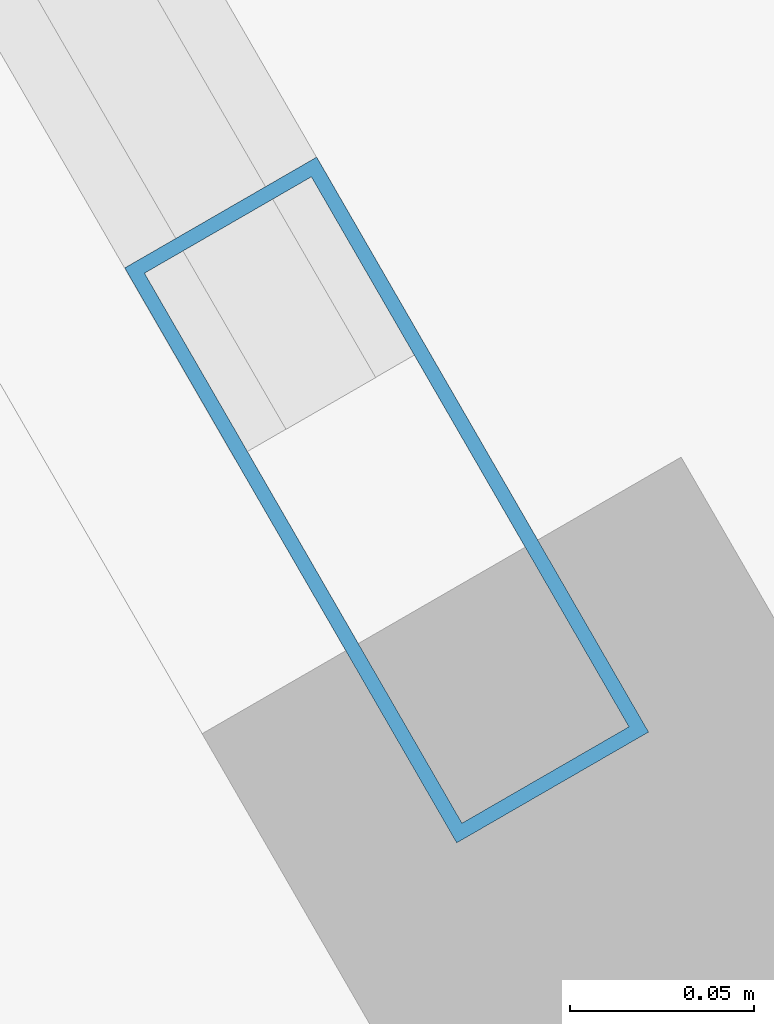
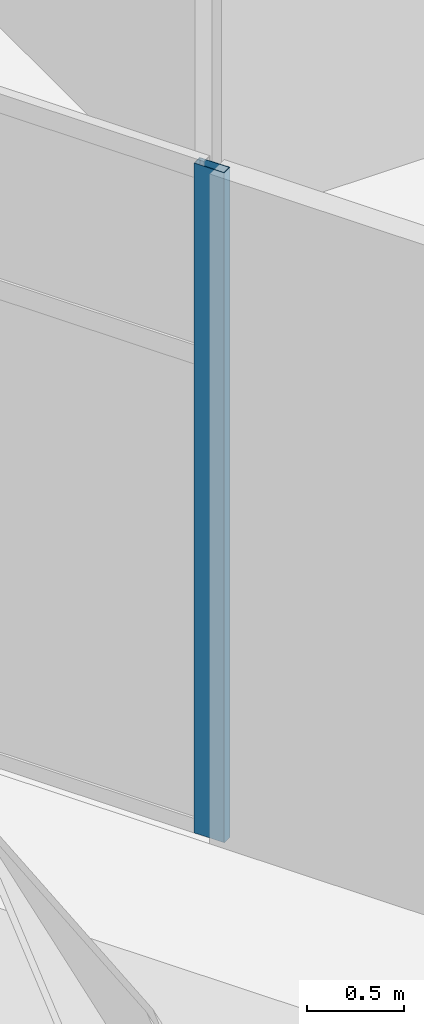
# One storey, part 28 of 71: 1 member, 1 element without a shape of its own.
"""IFC4 building model written with IfcOpenShell, lengths in metres."""

from ifc_helpers import new_model, si_unit, direction, frame, origin, origin_2d, place, context, subcontext, project, spatial, hollow_rectangle, extrude, material, material_profile, profile_set, type_object, element, aggregate, save


model = new_model("IFC4")

# Units and contexts
model_context = context("Model", 3, precision=1e-05, world=origin(), true_north=direction((0.0, 1.0)))
body_context = subcontext(model_context, "Body", "Model", "MODEL_VIEW")
ifc_project = project(units=[si_unit("LENGTHUNIT", "METRE"), si_unit("AREAUNIT", "SQUARE_METRE"), si_unit("VOLUMEUNIT", "CUBIC_METRE"), si_unit("PLANEANGLEUNIT", "RADIAN"), si_unit("MASSUNIT", "GRAM", prefix="KILO")], contexts=[model_context])

# Site, building, storey
site_placement = place(None, origin())
site = spatial("IfcSite", under=ifc_project, at=site_placement, CompositionType="ELEMENT")
building_placement = place(site_placement, origin())
building = spatial("IfcBuilding", under=site, at=building_placement, Name="Ostrander Bayou Hotel Tower", CompositionType="ELEMENT")
storey_placement = place(building_placement, frame((0.0, 0.0, 10.0)))
storey = spatial("IfcBuildingStorey", under=building, at=storey_placement, Name="L02", CompositionType="ELEMENT", Elevation=10.0)

# Curtain wall, member
ifc_material_1 = material(Name="Aluminium and clear glass", Category="aluminium")
curtain_wall_type = type_object("IfcCurtainWallType", Name="CW-SKY amenity glass wall", PredefinedType="NOTDEFINED", material=ifc_material_1)
curtain_wall_placement = place(storey_placement, origin())
curtain_wall = element("IfcCurtainWall", 1, at=curtain_wall_placement, inside=storey, type_object=curtain_wall_type, Name="CW-SKY L02 SW 4", PredefinedType="NOTDEFINED")
ifc_material_2 = material(Name="Aluminium", Category="aluminium")
ifc_material_profile = material_profile(ifc_material_2, hollow_rectangle(XDim=0.06005859375, YDim=0.179931640625, WallThickness=0.00390625, at=origin_2d()))
ifc_profile_set = profile_set([ifc_material_profile], Name="Aluminium")
member_type = type_object("IfcMemberType", Name="CW-SK mullion 60 x 180 mm", PredefinedType="MULLION", material=ifc_profile_set)
member_placement = place(storey_placement, frame((-11.92138671875, -16.201416015625, 0.0), z_axis=(0.0, 0.0, 1.0), x_axis=(0.866025997283, 0.499998972029, 0.0)))
member = element("IfcMember", 2, at=member_placement, type_object=member_type, Name="CW-SKY mullion 3", PredefinedType="MULLION", context=body_context, shape_type="SweptSolid", body=[
    extrude(hollow_rectangle(XDim=0.06005859375, YDim=0.179931640625, WallThickness=0.00390625, at=origin_2d()), origin(), (0.0, 0.0, 1.0), 4.199951171875),
])
aggregate(curtain_wall, [member])

save(model, "model.ifc")
